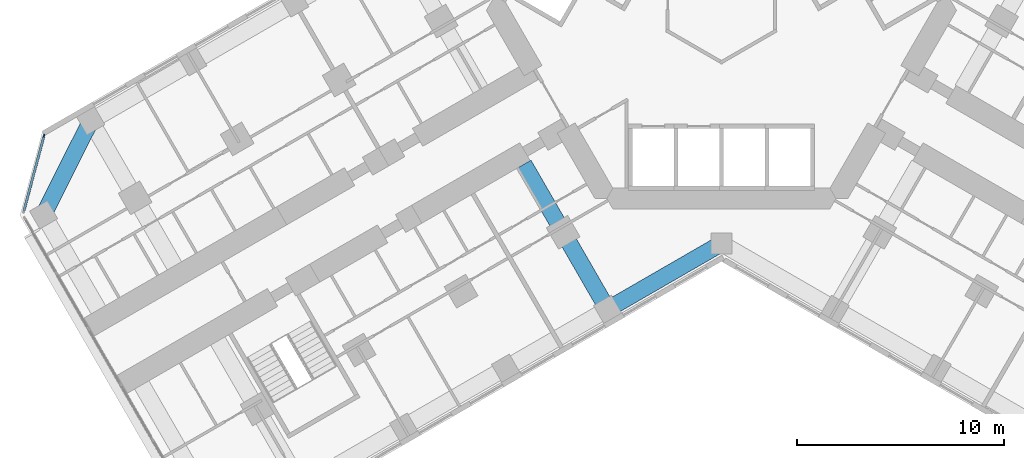
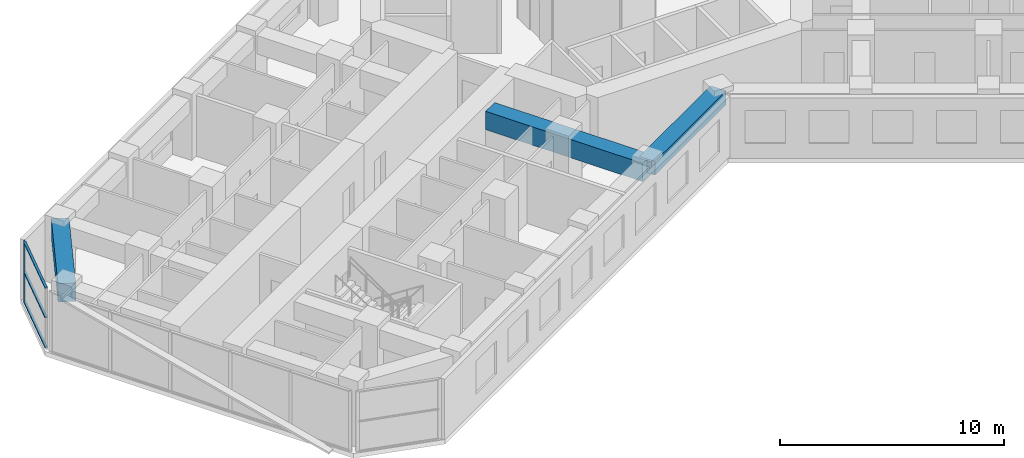
# One storey, part 3 of 21: 4 members, 3 beams, 1 element without a shape of its own.
"""IFC4 building model written with IfcOpenShell, lengths in metres."""

from ifc_helpers import new_model, si_unit, direction, frame, origin, origin_2d, place, context, subcontext, project, spatial, rectangle, extrude, material, material_profile, profile_set, type_object, element, aggregate, save


model = new_model("IFC4")

# Units and contexts
model_context = context("Model", 3, precision=1e-05, world=origin(), true_north=direction((0.0, 1.0)))
body_context = subcontext(model_context, "Body", "Model", "MODEL_VIEW")
ifc_project = project(units=[si_unit("LENGTHUNIT", "METRE"), si_unit("AREAUNIT", "SQUARE_METRE"), si_unit("VOLUMEUNIT", "CUBIC_METRE"), si_unit("PLANEANGLEUNIT", "RADIAN"), si_unit("MASSUNIT", "GRAM", prefix="KILO")], contexts=[model_context])

# Site, building, storey
site_placement = place(None, origin())
site = spatial("IfcSite", under=ifc_project, at=site_placement, CompositionType="ELEMENT")
building_placement = place(site_placement, origin())
building = spatial("IfcBuilding", under=site, at=building_placement, Name="Kosmar Iwan School Tower", CompositionType="ELEMENT")
storey_placement = place(building_placement, frame((0.0, 0.0, 109.60009765625)))
storey = spatial("IfcBuildingStorey", under=building, at=storey_placement, Name="L27", CompositionType="ELEMENT", Elevation=109.60009765625)

# Beams
ifc_material_1 = material(Name="Concrete C50/60", Category="concrete")
ifc_material_profile_1 = material_profile(ifc_material_1, rectangle(XDim=0.800048828125, YDim=0.75, at=origin_2d()), Name="RC 800x750 + HD 400x634")
ifc_profile_set_1 = profile_set([ifc_material_profile_1], Name="Concrete C50/60")
beam_type_1 = type_object("IfcBeamType", Name="Composite edge beam 800x750 HD 400x634", PredefinedType="BEAM", material=ifc_profile_set_1)
beam_1_placement = place(storey_placement, frame((0.0, -11.77783203125, 2.9248046875), z_axis=(-0.866014293216, -0.500019243575, 0.0), x_axis=(0.500019243575, -0.866014293216, 0.0)))
element("IfcBeam", 1, at=beam_1_placement, inside=storey, type_object=beam_type_1, Name="Edge beam BL1", PredefinedType="BEAM", context=body_context, shape_type="SweptSolid", body=[
    extrude(rectangle(XDim=0.800048828125, YDim=0.75, at=origin_2d()), origin(), (0.0, 0.0, 1.0), 6.361083984375),
])
ifc_material_2 = material(Name="Concrete C50/60", Category="concrete")
ifc_material_profile_2 = material_profile(ifc_material_2, rectangle(XDim=0.800048828125, YDim=1.0, at=origin_2d()), Name="RC 800x1000 + HD 400x347")
ifc_profile_set_2 = profile_set([ifc_material_profile_2], Name="Concrete C50/60")
beam_type_2 = type_object("IfcBeamType", Name="Composite tip beam 800x1000 HD 400x347", PredefinedType="BEAM", material=ifc_profile_set_2)
beam_2_placement = place(storey_placement, frame((-30.517822265625, -5.841552734375, 2.7998046875), z_axis=(-0.44809604203, -0.893985423325, 0.0), x_axis=(0.893985423325, -0.44809604203, 0.0)))
element("IfcBeam", 2, at=beam_2_placement, inside=storey, type_object=beam_type_2, Name="Tip beam BR", PredefinedType="BEAM", context=body_context, shape_type="SweptSolid", body=[
    extrude(rectangle(XDim=0.800048828125, YDim=1.0, at=origin_2d()), origin(), (0.0, 0.0, 1.0), 5.08935546875),
])
ifc_material_3 = material(Name="Concrete C50/60", Category="concrete")
ifc_material_profile_3 = material_profile(ifc_material_3, rectangle(XDim=0.800048828125, YDim=1.0, at=origin_2d()), Name="RC 800x1000 + HD 400x634")
ifc_profile_set_3 = profile_set([ifc_material_profile_3], Name="Concrete C50/60")
beam_type_3 = type_object("IfcBeamType", Name="Composite transverse beam 800x1000 HD 400x634", PredefinedType="BEAM", material=ifc_profile_set_3)
beam_3_placement = place(storey_placement, frame((-5.5087890625, -14.95849609375, 2.7998046875), z_axis=(-0.499999880539, 0.866025472755, 0.0), x_axis=(-0.866025472755, -0.499999880539, 0.0)))
element("IfcBeam", 3, at=beam_3_placement, inside=storey, type_object=beam_type_3, Name="Transverse beam BL1", PredefinedType="BEAM", context=body_context, shape_type="SweptSolid", body=[
    extrude(rectangle(XDim=0.800048828125, YDim=1.0, at=origin_2d()), origin(), (0.0, 0.0, 1.0), 8.10009765625),
])

# Curtain wall, members
ifc_material_4 = material(Name="Dark glass in black aluminium frame", Category="aluminium")
curtain_wall_type = type_object("IfcCurtainWallType", Name="Chamfer curtain wall dark glass", PredefinedType="USERDEFINED", material=ifc_material_4)
curtain_wall_placement = place(storey_placement, origin())
curtain_wall = element("IfcCurtainWall", 4, at=curtain_wall_placement, inside=storey, type_object=curtain_wall_type, Name="Curtain wall L27-F12", ObjectType="FACETED CURTAIN WALL", PredefinedType="USERDEFINED")
ifc_material_5 = material(Name="Black anodised aluminium", Category="aluminium")
ifc_material_profile_4 = material_profile(ifc_material_5, rectangle(XDim=0.06005859375, YDim=0.159912109375, at=origin_2d()), Name="MULLION 60x160")
ifc_profile_set_4 = profile_set([ifc_material_profile_4], Name="Black anodised aluminium")
member_type_1 = type_object("IfcMemberType", Name="Mullion 60x160", PredefinedType="MULLION", material=ifc_profile_set_4)
member_1_placement = place(storey_placement, frame((-32.78076171875, -6.5732421875, 0.0), z_axis=(0.0, 0.0, 1.0), x_axis=(0.965925875495, -0.258818861462, 0.0)))
member_1 = element("IfcMember", 5, at=member_1_placement, type_object=member_type_1, Name="CW2 mullion 1", PredefinedType="MULLION", context=body_context, shape_type="SweptSolid", body=[
    extrude(rectangle(XDim=0.06005859375, YDim=0.159912109375, at=origin_2d()), origin(), (0.0, 0.0, 1.0), 3.2998046875),
])
ifc_material_6 = material(Name="Black anodised aluminium", Category="aluminium")
ifc_material_profile_5 = material_profile(ifc_material_6, rectangle(XDim=0.1201171875, YDim=0.06005859375, at=origin_2d()), Name="TRANSOM 60x120")
ifc_profile_set_5 = profile_set([ifc_material_profile_5], Name="Black anodised aluminium")
member_type_2 = type_object("IfcMemberType", Name="Transom 60x120", PredefinedType="USERDEFINED", material=ifc_profile_set_5)
member_2_placement = place(storey_placement, frame((-32.788330078125, -6.602294921875, 0.02978515625), z_axis=(-0.258843273983, -0.965919333854, 0.0), x_axis=(0.965919333854, -0.258843273983, 0.0)))
member_2 = element("IfcMember", 6, at=member_2_placement, type_object=member_type_2, Name="CW2 transom 1.1", ObjectType="TRANSOM", PredefinedType="USERDEFINED", context=body_context, shape_type="SweptSolid", body=[
    extrude(rectangle(XDim=0.1201171875, YDim=0.06005859375, at=origin_2d()), origin(), (0.0, 0.0, 1.0), 3.718994140625),
])
member_3_placement = place(storey_placement, frame((-32.788330078125, -6.602294921875, 1.64990234375), z_axis=(-0.258843273983, -0.965919333854, 0.0), x_axis=(0.965919333854, -0.258843273983, 0.0)))
member_3 = element("IfcMember", 7, at=member_3_placement, type_object=member_type_2, Name="CW2 transom 1.2", ObjectType="TRANSOM", PredefinedType="USERDEFINED", context=body_context, shape_type="SweptSolid", body=[
    extrude(rectangle(XDim=0.1201171875, YDim=0.06005859375, at=origin_2d()), origin(), (0.0, 0.0, 1.0), 3.718994140625),
])
member_4_placement = place(storey_placement, frame((-32.788330078125, -6.602294921875, 3.27001953125), z_axis=(-0.258843273983, -0.965919333854, 0.0), x_axis=(0.965919333854, -0.258843273983, 0.0)))
member_4 = element("IfcMember", 8, at=member_4_placement, type_object=member_type_2, Name="CW2 transom 1.3", ObjectType="TRANSOM", PredefinedType="USERDEFINED", context=body_context, shape_type="SweptSolid", body=[
    extrude(rectangle(XDim=0.1201171875, YDim=0.06005859375, at=origin_2d()), origin(), (0.0, 0.0, 1.0), 3.718994140625),
])
aggregate(curtain_wall, [member_1, member_2, member_3, member_4])

save(model, "model.ifc")
